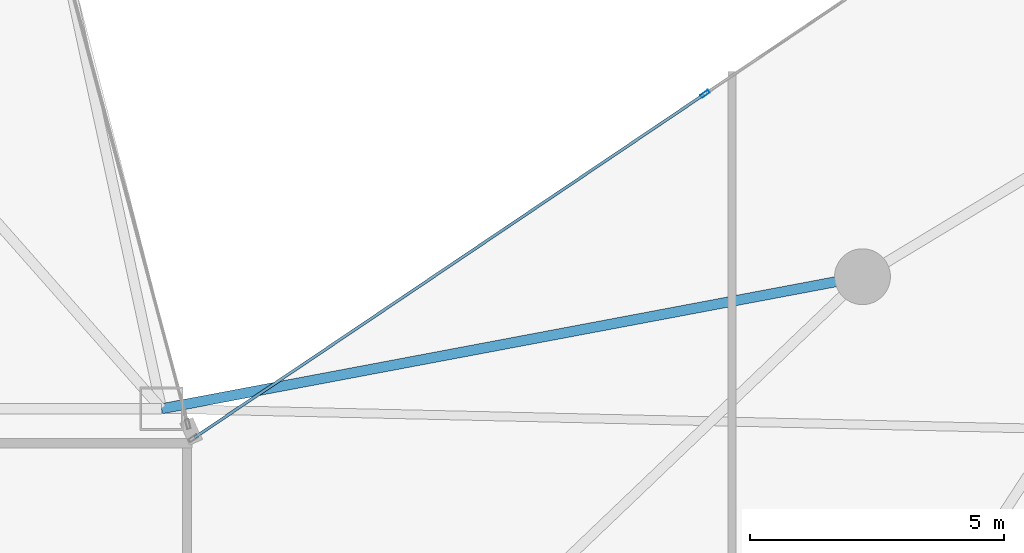
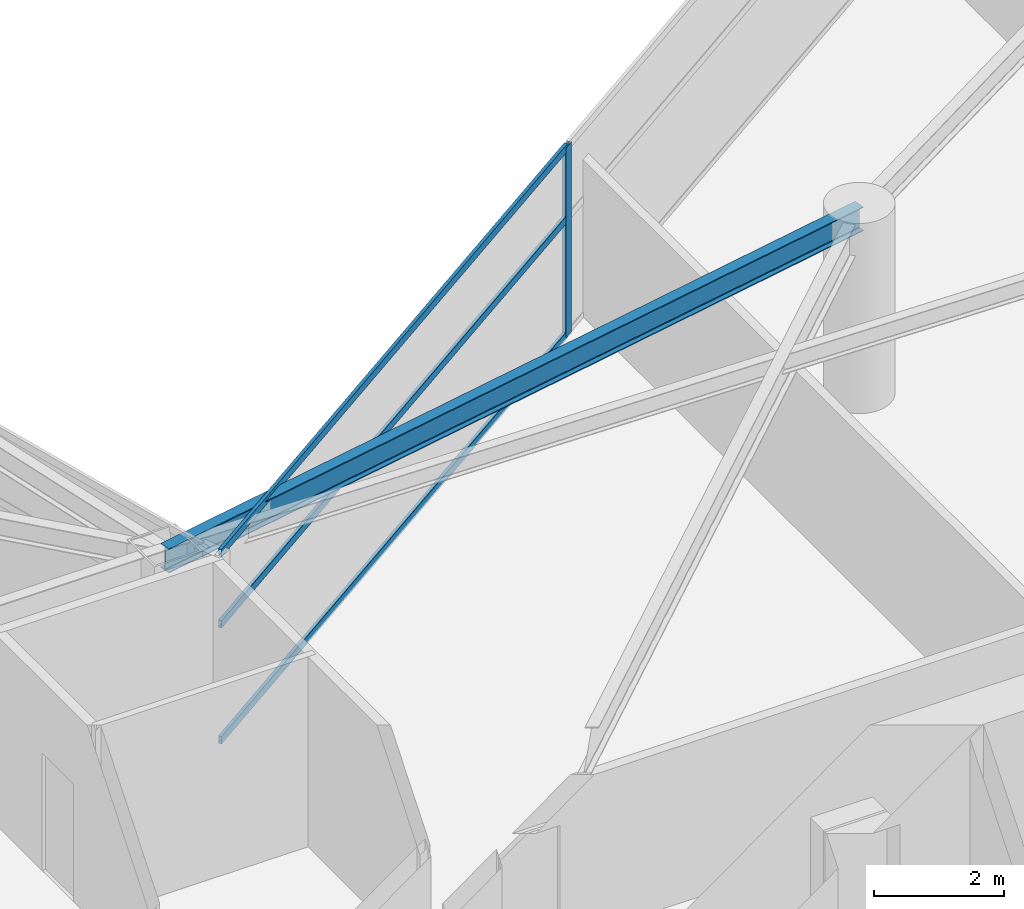
# One storey, part 12 of 30: 4 members, 1 beam, 1 element without a shape of its own.
"""IFC4 building model written with IfcOpenShell, lengths in metres."""

from ifc_helpers import new_model, si_unit, direction, frame, origin, origin_2d, place, context, subcontext, project, spatial, hollow_rectangle, i_section, extrude, material, layer, layer_set, material_profile, profile_set, type_object, element, aggregate, save


model = new_model("IFC4")

# Units and contexts
model_context = context("Model", 3, precision=1e-05, world=origin(), true_north=direction((0.0, 1.0)))
body_context = subcontext(model_context, "Body", "Model", "MODEL_VIEW")
ifc_project = project(units=[si_unit("LENGTHUNIT", "METRE"), si_unit("AREAUNIT", "SQUARE_METRE"), si_unit("VOLUMEUNIT", "CUBIC_METRE"), si_unit("PLANEANGLEUNIT", "RADIAN"), si_unit("MASSUNIT", "GRAM", prefix="KILO")], contexts=[model_context])

# Site, building, storey
site_placement = place(None, origin())
site = spatial("IfcSite", under=ifc_project, at=site_placement, CompositionType="ELEMENT")
building_placement = place(site_placement, origin())
building = spatial("IfcBuilding", under=site, at=building_placement, Name="Calvorn Quay Hotel", CompositionType="ELEMENT")
storey_placement = place(building_placement, frame((0.0, 0.0, 191.300048828125)))
storey = spatial("IfcBuildingStorey", under=building, at=storey_placement, Name="L47", CompositionType="ELEMENT", Elevation=191.300048828125)

# Beam
ifc_material_1 = material(Name="Steel Q355B", Category="steel")
ifc_material_profile_1 = material_profile(ifc_material_1, i_section(OverallWidth=0.199951171875, OverallDepth=0.449951171875, WebThickness=0.009033203125, FlangeThickness=0.013916015625, FilletRadius=0.01611328125, at=origin_2d()), Name="HN450x200x9x14")
ifc_profile_set_1 = profile_set([ifc_material_profile_1], Name="Steel Q355B")
beam_type = type_object("IfcBeamType", Name="BM-SPANDREL-Z3", PredefinedType="SPANDREL", material=ifc_profile_set_1)
beam_placement = place(storey_placement, frame((34.800048828125, 27.60009765625, 3.31494140625), z_axis=(-0.982709432406, -0.185154452988, 0.0), x_axis=(0.185154452988, -0.982709432406, 0.0)))
element("IfcBeam", 1, at=beam_placement, inside=storey, type_object=beam_type, Name="Beam BSP-L47-E4", PredefinedType="SPANDREL", context=body_context, shape_type="SweptSolid", body=[
    extrude(i_section(OverallWidth=0.199951171875, OverallDepth=0.449951171875, WebThickness=0.009033203125, FlangeThickness=0.013916015625, FilletRadius=0.01611328125, at=origin_2d()), origin(), (0.0, 0.0, 1.0), 14.04296875),
])

# Curtain wall, members
ifc_material_2 = material(Name="Champagne Bronze Anodised Aluminium and Low-E Glass", Category="aluminium")
ifc_layer = layer(ifc_material_2, 0.219970703125)
ifc_layer_set = layer_set([ifc_layer], Name="CW-SYS-Z3")
curtain_wall_type = type_object("IfcCurtainWallType", Name="CW-SYS-Z3", PredefinedType="NOTDEFINED", material=ifc_layer_set)
curtain_wall_placement = place(storey_placement, origin())
curtain_wall = element("IfcCurtainWall", 2, at=curtain_wall_placement, inside=storey, type_object=curtain_wall_type, Name="Inner Court Curtain Wall L47-NE1", PredefinedType="NOTDEFINED")
ifc_material_3 = material(Name="Champagne Bronze Anodised Aluminium 6063-T6", Category="aluminium")
ifc_material_profile_2 = material_profile(ifc_material_3, hollow_rectangle(XDim=0.068115234375, YDim=0.18505859375, WallThickness=0.00390625, at=origin_2d()), Name="ALU-M185x68x4")
ifc_profile_set_2 = profile_set([ifc_material_profile_2], Name="Champagne Bronze Anodised Aluminium 6063-T6")
member_type_1 = type_object("IfcMemberType", Name="CW-SYS-Z3-MUL", PredefinedType="MULLION", material=ifc_profile_set_2)
member_1_placement = place(storey_placement, frame((31.699951171875, 31.199951171875, 0.0), z_axis=(0.0, 0.0, 1.0), x_axis=(0.558485062395, -0.82951457798, 0.0)))
member_1 = element("IfcMember", 3, at=member_1_placement, type_object=member_type_1, Name="CW-L47-NE1 mullion 2", PredefinedType="MULLION", context=body_context, shape_type="SweptSolid", body=[
    extrude(hollow_rectangle(XDim=0.068115234375, YDim=0.18505859375, WallThickness=0.00390625, at=origin_2d()), origin(), (0.0, 0.0, 1.0), 3.56005859375),
])
ifc_material_4 = material(Name="Champagne Bronze Anodised Aluminium 6063-T6", Category="aluminium")
ifc_material_profile_3 = material_profile(ifc_material_4, hollow_rectangle(XDim=0.05810546875, YDim=0.139892578125, WallThickness=0.003173828125, at=origin_2d()), Name="ALU-T140x58x3.2")
ifc_profile_set_3 = profile_set([ifc_material_profile_3], Name="Champagne Bronze Anodised Aluminium 6063-T6")
member_type_2 = type_object("IfcMemberType", Name="CW-SYS-Z3-TRN", PredefinedType="USERDEFINED", material=ifc_profile_set_3)
member_2_placement = place(storey_placement, frame((31.675048828125, 31.183349609375, 0.030029296875), z_axis=(-0.82951504126, -0.558484374287, 0.0), x_axis=(0.558484374287, -0.82951504126, 0.0)))
member_2 = element("IfcMember", 4, at=member_2_placement, type_object=member_type_2, Name="CW-L47-NE1 transom 2.1", ObjectType="TRANSOM", PredefinedType="USERDEFINED", context=body_context, shape_type="SweptSolid", body=[
    extrude(hollow_rectangle(XDim=0.05810546875, YDim=0.139892578125, WallThickness=0.003173828125, at=origin_2d()), origin(), (0.0, 0.0, 1.0), 12.0859375),
])
member_3_placement = place(storey_placement, frame((31.675048828125, 31.183349609375, 2.199951171875), z_axis=(-0.82951504126, -0.558484374287, 0.0), x_axis=(0.558484374287, -0.82951504126, 0.0)))
member_3 = element("IfcMember", 5, at=member_3_placement, type_object=member_type_2, Name="CW-L47-NE1 transom 2.2", ObjectType="TRANSOM", PredefinedType="USERDEFINED", context=body_context, shape_type="SweptSolid", body=[
    extrude(hollow_rectangle(XDim=0.05810546875, YDim=0.139892578125, WallThickness=0.003173828125, at=origin_2d()), origin(), (0.0, 0.0, 1.0), 12.0859375),
])
member_4_placement = place(storey_placement, frame((31.675048828125, 31.183349609375, 3.530029296875), z_axis=(-0.82951504126, -0.558484374287, 0.0), x_axis=(0.558484374287, -0.82951504126, 0.0)))
member_4 = element("IfcMember", 6, at=member_4_placement, type_object=member_type_2, Name="CW-L47-NE1 transom 2.3", ObjectType="TRANSOM", PredefinedType="USERDEFINED", context=body_context, shape_type="SweptSolid", body=[
    extrude(hollow_rectangle(XDim=0.05810546875, YDim=0.139892578125, WallThickness=0.003173828125, at=origin_2d()), origin(), (0.0, 0.0, 1.0), 12.0859375),
])
aggregate(curtain_wall, [member_1, member_2, member_3, member_4])

save(model, "model.ifc")
